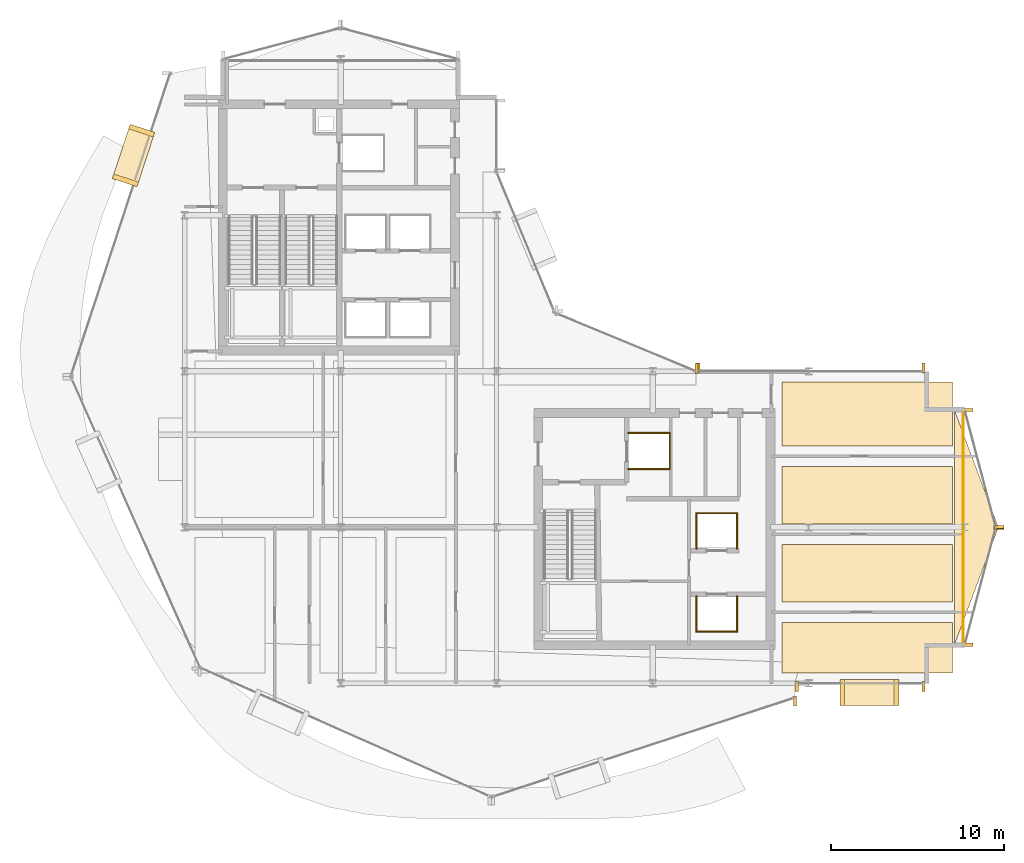
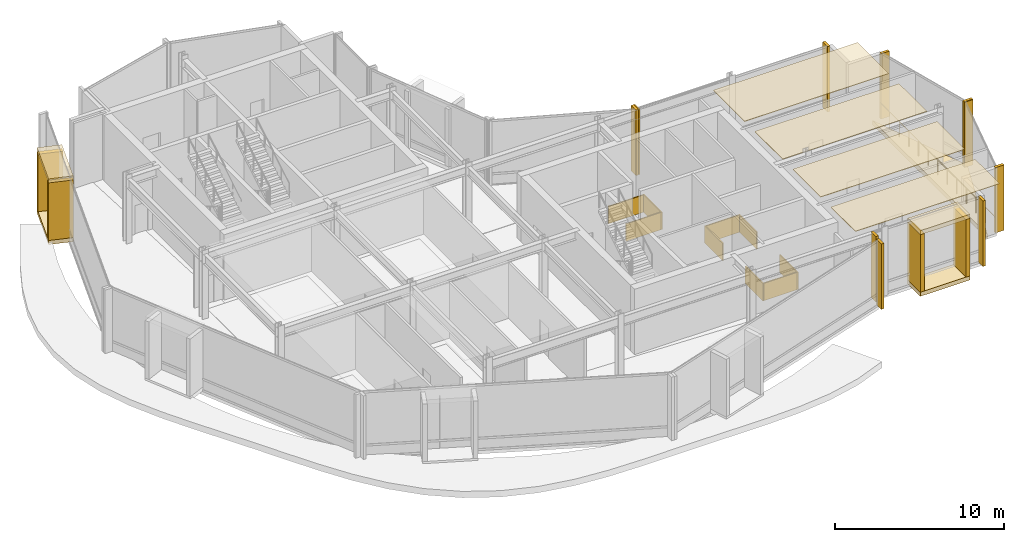
# One storey, part 27 of 28: 32 coverings, 1 railing.
"""IFC4 building model written with IfcOpenShell, lengths in metres."""

from ifc_helpers import new_model, si_unit, direction, frame, origin, origin_2d, place, context, subcontext, project, spatial, polyline, rectangle, circle, outline, extrude, material, layer, layer_set, type_object, element, save


model = new_model("IFC4")

# Units and contexts
model_context = context("Model", 3, precision=1e-05, world=origin(), true_north=direction((0.0, 1.0)))
body_context = subcontext(model_context, "Body", "Model", "MODEL_VIEW")
ifc_project = project(units=[si_unit("LENGTHUNIT", "METRE"), si_unit("AREAUNIT", "SQUARE_METRE"), si_unit("VOLUMEUNIT", "CUBIC_METRE"), si_unit("PLANEANGLEUNIT", "RADIAN"), si_unit("MASSUNIT", "GRAM", prefix="KILO")], contexts=[model_context])

# Site, building, storey
site_placement = place(None, origin())
site = spatial("IfcSite", under=ifc_project, at=site_placement, CompositionType="ELEMENT")
building_placement = place(site_placement, origin())
building = spatial("IfcBuilding", under=site, at=building_placement, Name="Solvaryn Broadcast Tower", CompositionType="ELEMENT")
storey_placement = place(building_placement, frame((0.0, 0.0, 201.199951171875)))
storey = spatial("IfcBuildingStorey", under=building, at=storey_placement, Name="L50", CompositionType="ELEMENT", Elevation=201.199951171875)

# Coverings
ifc_material_1 = material(Name="Micro-Perforated Acoustic Gypsum Ceiling", Category="concrete")
ifc_layer_1 = layer(ifc_material_1, 0.0400390625)
ifc_layer_set_1 = layer_set([ifc_layer_1], Name="CV-CEIL-ACOUSTIC")
covering_type_1 = type_object("IfcCoveringType", Name="CV-CEIL-ACOUSTIC", PredefinedType="CEILING", material=ifc_layer_set_1)
covering_1_placement = place(storey_placement, frame((0.0, 0.0, 4.679931640625)))
element("IfcCovering", 1, at=covering_1_placement, inside=storey, type_object=covering_type_1, Name="L50 Room Acoustic Ceiling 6", PredefinedType="CEILING", context=body_context, shape_type="SweptSolid", body=[
    extrude(outline(polyline([(43.449951171875, 9.60009765625), (53.300048828125, 9.60009765625), (53.300048828125, 12.5), (43.449951171875, 12.5), (43.449951171875, 9.60009765625)])), origin(), (0.0, 0.0, 1.0), 0.0400390625),
])
covering_2_placement = place(storey_placement, frame((0.0, 0.0, 4.679931640625)))
element("IfcCovering", 2, at=covering_2_placement, inside=storey, type_object=covering_type_1, Name="L50 Room Acoustic Ceiling 7", PredefinedType="CEILING", context=body_context, shape_type="SweptSolid", body=[
    extrude(outline(polyline([(43.449951171875, 13.699951171875), (53.300048828125, 13.699951171875), (53.300048828125, 17.0), (43.449951171875, 17.0), (43.449951171875, 13.699951171875)])), origin(), (0.0, 0.0, 1.0), 0.0400390625),
])
covering_3_placement = place(storey_placement, frame((0.0, 0.0, 4.679931640625)))
element("IfcCovering", 3, at=covering_3_placement, inside=storey, type_object=covering_type_1, Name="L50 Room Acoustic Ceiling 8", PredefinedType="CEILING", context=body_context, shape_type="SweptSolid", body=[
    extrude(outline(polyline([(43.449951171875, 18.199951171875), (53.300048828125, 18.199951171875), (53.300048828125, 21.5), (43.449951171875, 21.5), (43.449951171875, 18.199951171875)])), origin(), (0.0, 0.0, 1.0), 0.0400390625),
])
covering_4_placement = place(storey_placement, frame((0.0, 0.0, 4.679931640625)))
element("IfcCovering", 4, at=covering_4_placement, inside=storey, type_object=covering_type_1, Name="L50 Room Acoustic Ceiling 9", PredefinedType="CEILING", context=body_context, shape_type="SweptSolid", body=[
    extrude(outline(polyline([(43.449951171875, 22.699951171875), (53.300048828125, 22.699951171875), (53.300048828125, 26.39990234375), (43.449951171875, 26.39990234375), (43.449951171875, 22.699951171875)])), origin(), (0.0, 0.0, 1.0), 0.0400390625),
])
ifc_material_2 = material(Name="Fire-Rated Gypsum Shaftwall Liner", Category="concrete")
ifc_layer_2 = layer(ifc_material_2, 0.080078125)
ifc_layer_set_2 = layer_set([ifc_layer_2], Name="CV-SHAFT-LINER")
covering_type_2 = type_object("IfcCoveringType", Name="CV-SHAFT-LINER", PredefinedType="CLADDING", material=ifc_layer_set_2)
for number, where, z_axis, x_axis, name in (
    (5, (35.800048828125, 23.43994140625, 0.0), (0.0, 0.0, 1.0), (1.0, 0.0, 0.0), "L50 FL2 Hoistway Shaft Liner North"),
    (6, (35.800048828125, 21.360107421875, 0.0), (0.0, 0.0, 1.0), (1.0, 0.0, 0.0), "L50 FL2 Hoistway Shaft Liner South"),
):
    element("IfcCovering", number, at=place(storey_placement, frame(where, z_axis=z_axis, x_axis=x_axis)), inside=storey, type_object=covering_type_2, Name=name, PredefinedType="CLADDING", context=body_context, shape_type="SweptSolid", body=[
        extrude(rectangle(XDim=2.4599609375, YDim=0.080078125, at=origin_2d()), origin(), (0.0, 0.0, 1.0), 1.25),
    ])
covering_5_placement = place(storey_placement, frame((36.989990234375, 22.39990234375, 0.0), z_axis=(0.0, 0.0, 1.0), x_axis=(1.0, 0.0, 0.0)))
element("IfcCovering", 7, at=covering_5_placement, inside=storey, type_object=covering_type_2, Name="L50 FL2 Hoistway Shaft Liner East", PredefinedType="CLADDING", context=body_context, shape_type="SweptSolid", body=[
    extrude(rectangle(XDim=0.080078125, YDim=2.159912109375, at=origin_2d()), origin(), (0.0, 0.0, 1.0), 1.25),
])
covering_6_placement = place(storey_placement, frame((39.699951171875, 11.985107421875, 0.0), z_axis=(0.0, 0.0, 1.0), x_axis=(1.0, 0.0, 0.0)))
element("IfcCovering", 8, at=covering_6_placement, inside=storey, type_object=covering_type_2, Name="L50 PM1 Hoistway Shaft Liner South", PredefinedType="CLADDING", context=body_context, shape_type="SweptSolid", body=[
    extrude(rectangle(XDim=2.409912109375, YDim=0.080078125, at=origin_2d()), origin(), (0.0, 0.0, 1.0), 1.25),
])
for number, where, z_axis, x_axis, name in (
    (9, (40.864990234375, 13.0, 0.0), (0.0, 0.0, 1.0), (1.0, 0.0, 0.0), "L50 PM1 Hoistway Shaft Liner East"),
    (10, (38.534912109375, 13.0, 0.0), (0.0, 0.0, 1.0), (1.0, 0.0, 0.0), "L50 PM1 Hoistway Shaft Liner West"),
):
    element("IfcCovering", number, at=place(storey_placement, frame(where, z_axis=z_axis, x_axis=x_axis)), inside=storey, type_object=covering_type_2, Name=name, PredefinedType="CLADDING", context=body_context, shape_type="SweptSolid", body=[
        extrude(rectangle(XDim=0.080078125, YDim=2.110107421875, at=origin_2d()), origin(), (0.0, 0.0, 1.0), 1.25),
    ])
covering_7_placement = place(storey_placement, frame((39.699951171875, 18.81494140625, 0.0), z_axis=(0.0, 0.0, 1.0), x_axis=(1.0, 0.0, 0.0)))
element("IfcCovering", 11, at=covering_7_placement, inside=storey, type_object=covering_type_2, Name="L50 PM2 Hoistway Shaft Liner North", PredefinedType="CLADDING", context=body_context, shape_type="SweptSolid", body=[
    extrude(rectangle(XDim=2.409912109375, YDim=0.080078125, at=origin_2d()), origin(), (0.0, 0.0, 1.0), 1.25),
])
for number, where, z_axis, x_axis, name in (
    (12, (40.864990234375, 17.800048828125, 0.0), (0.0, 0.0, 1.0), (1.0, 0.0, 0.0), "L50 PM2 Hoistway Shaft Liner East"),
    (13, (38.534912109375, 17.800048828125, 0.0), (0.0, 0.0, 1.0), (1.0, 0.0, 0.0), "L50 PM2 Hoistway Shaft Liner West"),
):
    element("IfcCovering", number, at=place(storey_placement, frame(where, z_axis=z_axis, x_axis=x_axis)), inside=storey, type_object=covering_type_2, Name=name, PredefinedType="CLADDING", context=body_context, shape_type="SweptSolid", body=[
        extrude(rectangle(XDim=0.080078125, YDim=2.110107421875, at=origin_2d()), origin(), (0.0, 0.0, 1.0), 1.25),
    ])
ifc_material_3 = material(Name="Glazed Architectural Terracotta Rainscreen Cladding", Category="masonry")
ifc_layer_3 = layer(ifc_material_3, 0.280029296875)
ifc_layer_set_3 = layer_set([ifc_layer_3], Name="CV-TC-CLAD")
covering_type_3 = type_object("IfcCoveringType", Name="CV-TC-CLAD", PredefinedType="CLADDING", material=ifc_layer_set_3)
for number, where, z_axis, x_axis, name in (
    (14, (6.054931640625, 39.4541015625, 4.43017578125), (0.0, 0.0, 1.0), (-0.311505792684, -0.950244253402, 0.0), "L50 Projecting Stone Window Box Hood 1"),
    (15, (6.054931640625, 39.4541015625, -0.009765625), (0.0, 0.0, 1.0), (-0.311505792684, -0.950244253402, 0.0), "L50 Projecting Stone Window Box Sill 1"),
):
    element("IfcCovering", number, at=place(storey_placement, frame(where, z_axis=z_axis, x_axis=x_axis)), inside=storey, type_object=covering_type_3, Name=name, PredefinedType="CLADDING", context=body_context, shape_type="SweptSolid", body=[
        extrude(rectangle(XDim=3.300048828125, YDim=1.5, at=origin_2d()), origin(), (0.0, 0.0, 1.0), 0.300048828125),
    ])
for number, where, z_axis, x_axis, name in (
    (16, (6.525390625, 40.888916015625, 0.2802734375), (0.0, 0.0, 1.0), (-0.311505792684, -0.950244253402, 0.0), "L50 Projecting Stone Window Box Cheek 1-1"),
    (17, (5.584716796875, 38.01904296875, 0.2802734375), (0.0, 0.0, 1.0), (-0.311505792684, -0.950244253402, 0.0), "L50 Projecting Stone Window Box Cheek 1-2"),
):
    element("IfcCovering", number, at=place(storey_placement, frame(where, z_axis=z_axis, x_axis=x_axis)), inside=storey, type_object=covering_type_3, Name=name, PredefinedType="CLADDING", context=body_context, shape_type="SweptSolid", body=[
        extrude(rectangle(XDim=0.280029296875, YDim=1.5, at=origin_2d()), origin(), (0.0, 0.0, 1.0), 4.159912109375),
    ])
for number, where, z_axis, x_axis, name in (
    (18, (48.5, 8.469970703125, 4.43017578125), (0.0, 0.0, 1.0), (1.0, 0.0, 0.0), "L50 Projecting Stone Window Box Hood 6"),
    (19, (48.5, 8.469970703125, -0.009765625), (0.0, 0.0, 1.0), (1.0, 0.0, 0.0), "L50 Projecting Stone Window Box Sill 6"),
):
    element("IfcCovering", number, at=place(storey_placement, frame(where, z_axis=z_axis, x_axis=x_axis)), inside=storey, type_object=covering_type_3, Name=name, PredefinedType="CLADDING", context=body_context, shape_type="SweptSolid", body=[
        extrude(rectangle(XDim=3.39990234375, YDim=1.5, at=origin_2d()), origin(), (0.0, 0.0, 1.0), 0.300048828125),
    ])
for number, where, z_axis, x_axis, name in (
    (20, (46.93994140625, 8.469970703125, 0.2802734375), (0.0, 0.0, 1.0), (1.0, 0.0, 0.0), "L50 Projecting Stone Window Box Cheek 6-1"),
    (21, (50.06005859375, 8.469970703125, 0.2802734375), (0.0, 0.0, 1.0), (1.0, 0.0, 0.0), "L50 Projecting Stone Window Box Cheek 6-2"),
):
    element("IfcCovering", number, at=place(storey_placement, frame(where, z_axis=z_axis, x_axis=x_axis)), inside=storey, type_object=covering_type_3, Name=name, PredefinedType="CLADDING", context=body_context, shape_type="SweptSolid", body=[
        extrude(rectangle(XDim=0.280029296875, YDim=1.5, at=origin_2d()), origin(), (0.0, 0.0, 1.0), 4.159912109375),
    ])
ifc_material_4 = material(Name="Extruded Architectural Terracotta Fin", Category="masonry")
ifc_layer_4 = layer(ifc_material_4, 0.179931640625)
ifc_layer_set_4 = layer_set([ifc_layer_4], Name="CV-TC-FIN")
covering_type_4 = type_object("IfcCoveringType", Name="CV-TC-FIN", PredefinedType="USERDEFINED", material=ifc_layer_set_4)
for number, where, z_axis, x_axis, name in (
    (22, (44.209716796875, 7.982666015625, 0.0), (0.0, 0.0, 1.0), (1.0, 0.0, 0.0), "L50 Terracotta Vertical Fin FIN-L50-DR4-M01"),
    (23, (38.541259765625, 27.177978515625, 0.0), (0.0, 0.0, 1.0), (1.0, 0.0, 0.0), "L50 Terracotta Vertical Fin FIN-L50-CN1-M00"),
    (24, (44.31201171875, 8.8125, 0.0), (0.0, 0.0, 1.0), (1.0, 0.0, 0.0), "L50 Terracotta Vertical Fin FIN-L50-S2-M00"),
    (25, (51.6201171875, 8.8125, 0.0), (0.0, 0.0, 1.0), (1.0, 0.0, 0.0), "L50 Terracotta Vertical Fin FIN-L50-S2-M01"),
):
    element("IfcCovering", number, at=place(storey_placement, frame(where, z_axis=z_axis, x_axis=x_axis)), inside=storey, type_object=covering_type_4, Name=name, ObjectType="FIN", PredefinedType="USERDEFINED", context=body_context, shape_type="SweptSolid", body=[
        extrude(rectangle(XDim=0.179931640625, YDim=0.580078125, at=origin_2d()), origin(), (0.0, 0.0, 1.0), 4.719970703125),
    ])
for number, where, z_axis, x_axis, name in (
    (26, (54.1953125, 24.77099609375, 0.0), (0.0, 0.0, 1.0), (1.0, 0.0, 0.0), "L50 Terracotta Vertical Fin FIN-L50-ET1-M00"),
    (27, (55.979736328125, 18.029052734375, 0.0), (0.0, 0.0, 1.0), (1.0, 0.0, 0.0), "L50 Terracotta Vertical Fin FIN-L50-ET1-M01"),
    (28, (55.979736328125, 17.970947265625, 0.0), (0.0, 0.0, 1.0), (1.0, 0.0, 0.0), "L50 Terracotta Vertical Fin FIN-L50-ET2-M00"),
    (29, (54.1953125, 11.22900390625, 0.0), (0.0, 0.0, 1.0), (1.0, 0.0, 0.0), "L50 Terracotta Vertical Fin FIN-L50-ET2-M01"),
):
    element("IfcCovering", number, at=place(storey_placement, frame(where, z_axis=z_axis, x_axis=x_axis)), inside=storey, type_object=covering_type_4, Name=name, ObjectType="FIN", PredefinedType="USERDEFINED", context=body_context, shape_type="SweptSolid", body=[
        extrude(rectangle(XDim=0.580078125, YDim=0.179931640625, at=origin_2d()), origin(), (0.0, 0.0, 1.0), 4.719970703125),
    ])
for number, where, z_axis, x_axis, name in (
    (30, (38.6298828125, 27.1875, 0.0), (0.0, 0.0, 1.0), (1.0, 0.0, 0.0), "L50 Terracotta Vertical Fin FIN-L50-IH-M00"),
    (31, (51.6201171875, 27.1875, 0.0), (0.0, 0.0, 1.0), (1.0, 0.0, 0.0), "L50 Terracotta Vertical Fin FIN-L50-IH-M01"),
):
    element("IfcCovering", number, at=place(storey_placement, frame(where, z_axis=z_axis, x_axis=x_axis)), inside=storey, type_object=covering_type_4, Name=name, ObjectType="FIN", PredefinedType="USERDEFINED", context=body_context, shape_type="SweptSolid", body=[
        extrude(rectangle(XDim=0.179931640625, YDim=0.580078125, at=origin_2d()), origin(), (0.0, 0.0, 1.0), 4.719970703125),
    ])
ifc_material_5 = material(Name="Sculpted Architectural Terracotta Wave Fascia", Category="masonry")
ifc_layer_5 = layer(ifc_material_5, 0.340087890625)
ifc_layer_set_5 = layer_set([ifc_layer_5], Name="CV-WAVE-TRAY")
covering_type_5 = type_object("IfcCoveringType", Name="CV-WAVE-TRAY", PredefinedType="CLADDING", material=ifc_layer_set_5)
covering_8_placement = place(storey_placement, frame((0.0, 0.0, -0.300048828125)))
element("IfcCovering", 32, at=covering_8_placement, inside=storey, type_object=covering_type_5, Name="L50 East Curved Wing Deck", PredefinedType="CLADDING", context=body_context, shape_type="SweptSolid", body=[
    extrude(outline(polyline([(53.39990234375, 11.199951171875), (55.949951171875, 18.0), (53.39990234375, 24.800048828125), (53.39990234375, 11.199951171875)])), origin(), (0.0, 0.0, 1.0), 0.330078125),
])

# Railing
ifc_material_6 = material(Name="Stainless Steel and Laminated Glass Guard", Category="steel")
railing_type = type_object("IfcRailingType", Name="RL-TER-1150", PredefinedType="BALUSTRADE", material=ifc_material_6)
railing_placement = place(storey_placement, frame((53.919921875, 11.199951171875, 0.0)))
element("IfcRailing", 33, at=railing_placement, inside=storey, type_object=railing_type, Name="L50 East Wing Spandrel Edge Guard", PredefinedType="BALUSTRADE", context=body_context, shape_type="SweptSolid", body=[
    extrude(circle(Radius=0.02392578125, at=origin_2d()), frame((0.0, 0.0, 1.1259765625), z_axis=(0.0, 1.0, 0.0), x_axis=(-1.0, 0.0, 0.0)), (0.0, 0.0, 1.0), 13.60009765625),
    extrude(circle(Radius=0.02099609375, at=origin_2d()), origin(), (0.0, 0.0, 1.0), 1.101806640625),
    extrude(circle(Radius=0.02099609375, at=origin_2d()), frame((0.0, 1.13330078125, 0.0)), (0.0, 0.0, 1.0), 1.101806640625),
    extrude(circle(Radius=0.02099609375, at=origin_2d()), frame((0.0, 2.2666015625, 0.0)), (0.0, 0.0, 1.0), 1.101806640625),
    extrude(circle(Radius=0.02099609375, at=origin_2d()), frame((0.0, 3.39990234375, 0.0)), (0.0, 0.0, 1.0), 1.101806640625),
    extrude(circle(Radius=0.02099609375, at=origin_2d()), frame((0.0, 4.533447265625, 0.0)), (0.0, 0.0, 1.0), 1.101806640625),
    extrude(circle(Radius=0.02099609375, at=origin_2d()), frame((0.0, 5.666748046875, 0.0)), (0.0, 0.0, 1.0), 1.101806640625),
    extrude(circle(Radius=0.02099609375, at=origin_2d()), frame((0.0, 6.800048828125, 0.0)), (0.0, 0.0, 1.0), 1.101806640625),
    extrude(circle(Radius=0.02099609375, at=origin_2d()), frame((0.0, 7.933349609375, 0.0)), (0.0, 0.0, 1.0), 1.101806640625),
    extrude(circle(Radius=0.02099609375, at=origin_2d()), frame((0.0, 9.066650390625, 0.0)), (0.0, 0.0, 1.0), 1.101806640625),
    extrude(circle(Radius=0.02099609375, at=origin_2d()), frame((0.0, 10.2001953125, 0.0)), (0.0, 0.0, 1.0), 1.101806640625),
    extrude(circle(Radius=0.02099609375, at=origin_2d()), frame((0.0, 11.33349609375, 0.0)), (0.0, 0.0, 1.0), 1.101806640625),
    extrude(circle(Radius=0.02099609375, at=origin_2d()), frame((0.0, 12.466796875, 0.0)), (0.0, 0.0, 1.0), 1.101806640625),
    extrude(circle(Radius=0.02099609375, at=origin_2d()), frame((0.0, 13.60009765625, 0.0)), (0.0, 0.0, 1.0), 1.101806640625),
])

save(model, "model.ifc")
